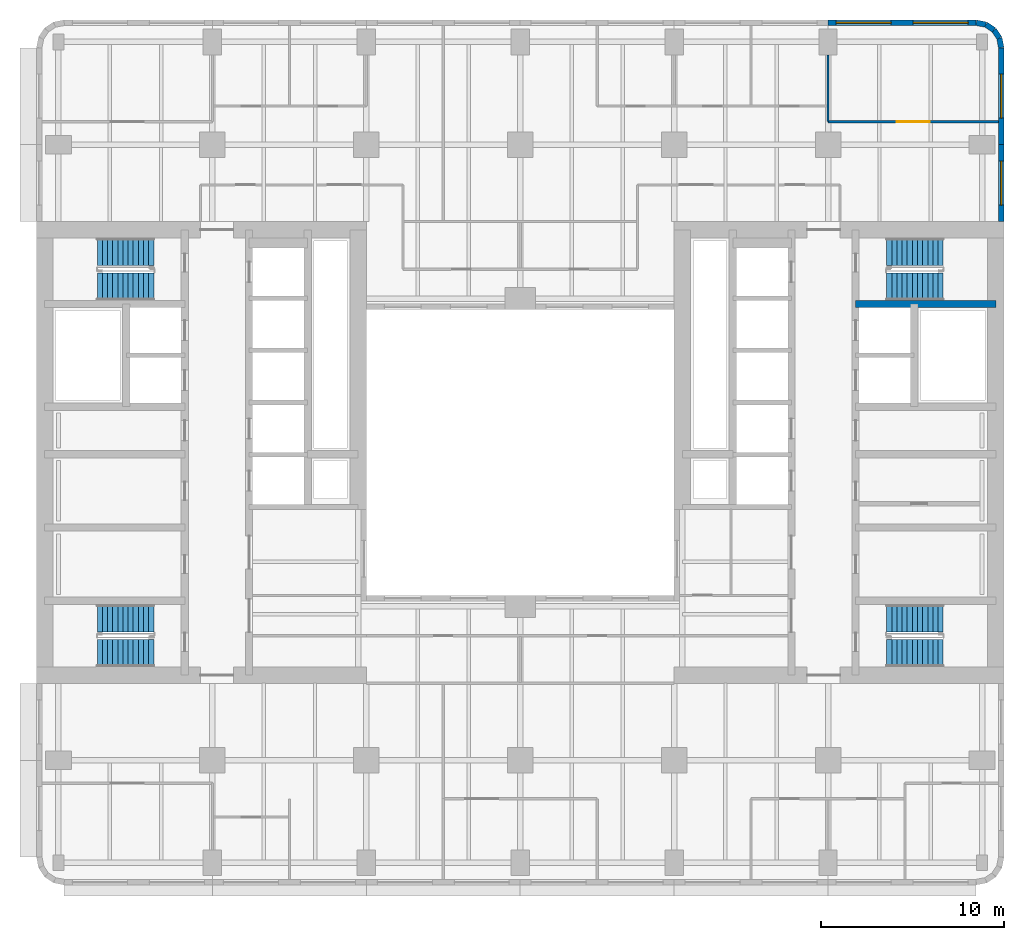
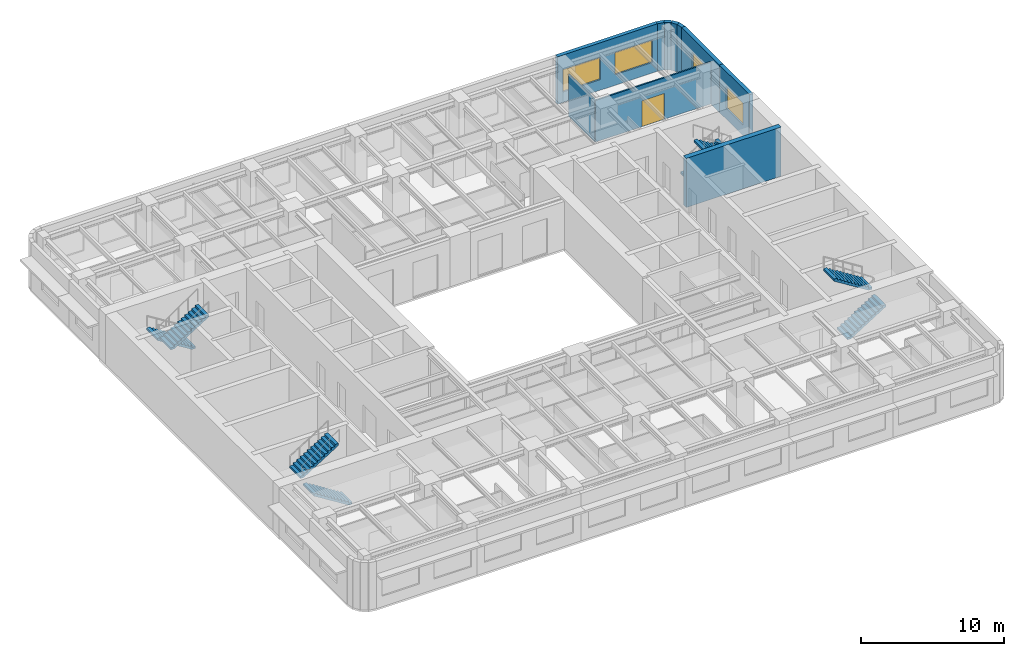
# One storey, part 8 of 11: 10 walls, 8 stair flights, 4 windows, 1 door, 5 openings, 4 elements without a shape of their own.
"""IFC4 building model written with IfcOpenShell, lengths in metres."""

from ifc_helpers import new_model, si_unit, direction, frame, frame_2d, origin, place, context, subcontext, project, spatial, polyline, rectangle, outline, extrude, material, layer, layer_set, type_object, element, fill, aggregate, save


model = new_model("IFC4")

# Units and contexts
model_context = context("Model", 3, precision=1e-05, world=origin(), true_north=direction((0.0, 1.0)))
body_context = subcontext(model_context, "Body", "Model", "MODEL_VIEW")
ifc_project = project(units=[si_unit("LENGTHUNIT", "METRE"), si_unit("AREAUNIT", "SQUARE_METRE"), si_unit("VOLUMEUNIT", "CUBIC_METRE"), si_unit("PLANEANGLEUNIT", "RADIAN"), si_unit("MASSUNIT", "GRAM", prefix="KILO")], contexts=[model_context])

# Site, building, storey
site_placement = place(None, origin())
site = spatial("IfcSite", under=ifc_project, at=site_placement, CompositionType="ELEMENT")
building_placement = place(site_placement, origin())
building = spatial("IfcBuilding", under=site, at=building_placement, Name="Claustro Exchange Tower", CompositionType="ELEMENT")
storey_placement = place(building_placement, frame((0.0, 0.0, 151.199951171875)))
storey = spatial("IfcBuildingStorey", under=building, at=storey_placement, Name="L34", CompositionType="ELEMENT", Elevation=151.199951171875)

# Wall, opening, door
ifc_material_1 = material(Name="Laminated glass in aluminium frame", Category="aluminium")
ifc_layer_1 = layer(ifc_material_1, 0.1201171875)
ifc_layer_set_1 = layer_set([ifc_layer_1], Name="Laminated glass in aluminium frame")
wall_type_1 = type_object("IfcWallType", Name="P2 120 glazed partition", PredefinedType="PARTITIONING", material=ifc_layer_set_1)
wall_1_placement = place(storey_placement, frame((42.0, 43.25, 0.0), z_axis=(0.0, 0.0, 1.0), x_axis=(1.0, 0.0, 0.0)))
wall_1 = element("IfcWall", 1, at=wall_1_placement, inside=storey, type_object=wall_type_1, Name="Partition P2 L34", PredefinedType="PARTITIONING", context=body_context, shape_type="SweptSolid", body=[
    extrude(rectangle(XDim=9.302001953125, YDim=0.1201171875, at=frame_2d((4.65087890625, 0.0))), origin(), (0.0, 0.0, 1.0), 3.550048828125),
])
opening_1_placement = place(wall_1_placement, frame((3.75, 0.0, 0.0)))
opening_1 = element("IfcOpeningElement", 2, at=opening_1_placement, cuts=wall_1, Name="Opening D2", PredefinedType="OPENING", context=body_context, shape_type="SweptSolid", body=[
    extrude(rectangle(XDim=1.800048828125, YDim=2.199951171875, at=frame_2d((0.89990234375, 1.10009765625))), frame((0.0, 0.070068359375, 0.0), z_axis=(0.0, -1.0, 0.0), x_axis=(1.0, 0.0, 0.0)), (0.0, 0.0, 1.0), 0.14013671875),
])
ifc_material_2 = material(Name="Timber door, oak veneer", Category="wood")
door_type = type_object("IfcDoorType", Name="D2 1800 x 2200 double door", OperationType="DOUBLE_DOOR_SINGLE_SWING", PredefinedType="DOOR", material=ifc_material_2)
door_placement = place(opening_1_placement, origin())
door = element("IfcDoor", 3, at=door_placement, inside=storey, type_object=door_type, Name="Double door D2 L34", OperationType="DOUBLE_DOOR_SINGLE_SWING", OverallHeight=2.199951171875, OverallWidth=1.800048828125, PredefinedType="DOOR", context=body_context, shape_type="SweptSolid", body=[
    extrude(rectangle(XDim=1.800048828125, YDim=2.199951171875, at=frame_2d((0.89990234375, 1.10009765625))), frame((0.0, 0.02490234375, 0.0), z_axis=(0.0, -1.0, 0.0), x_axis=(1.0, 0.0, 0.0)), (0.0, 0.0, 1.0), 0.050048828125),
])
fill(opening_1, door)

# Wall
wall_2_placement = place(storey_placement, frame((42.0, 43.25, 0.0), z_axis=(0.0, 0.0, 1.0), x_axis=(0.0, 1.0, 0.0)))
element("IfcWall", 4, at=wall_2_placement, inside=storey, type_object=wall_type_1, Name="Partition P2 L34", PredefinedType="PARTITIONING", context=body_context, shape_type="SweptSolid", body=[
    extrude(rectangle(XDim=3.65087890625, YDim=0.1201171875, at=frame_2d((1.825439453125, 0.0))), origin(), (0.0, 0.0, 1.0), 3.550048828125),
])

# Wall, openings, windows
ifc_material_3 = material(Name="Concrete HA-40 (C40/50), precast, white cement, acid-etched", Category="concrete")
ifc_layer_2 = layer(ifc_material_3, 0.300048828125)
ifc_layer_set_2 = layer_set([ifc_layer_2], Name="Concrete HA-40 (C40/50), precast, white cement, acid-etched")
wall_type_2 = type_object("IfcWallType", Name="PC1 300 precast concrete pier panel", PredefinedType="SOLIDWALL", material=ifc_layer_set_2)
wall_3_placement = place(storey_placement, frame((42.0, 48.64990234375, 0.0), z_axis=(0.0, 0.0, 1.0), x_axis=(1.0, 0.0, 0.0)))
wall_3 = element("IfcWall", 5, at=wall_3_placement, inside=storey, type_object=wall_type_2, Name="Precast pier panel PC1 L34", PredefinedType="SOLIDWALL", context=body_context, shape_type="SweptSolid", body=[
    extrude(rectangle(XDim=8.085205078125, YDim=0.300048828125, at=frame_2d((4.04248046875, 0.0))), origin(), (0.0, 0.0, 1.0), 4.050048828125),
])
opening_2_placement = place(wall_3_placement, frame((0.442626953125, 0.0, 0.89990234375)))
opening_2 = element("IfcOpeningElement", 6, at=opening_2_placement, cuts=wall_3, Name="Opening W1", PredefinedType="OPENING", context=body_context, shape_type="SweptSolid", body=[
    extrude(rectangle(XDim=3.0, YDim=1.89990234375, at=frame_2d((1.5, 0.949951171875))), frame((0.0, 0.159912109375, 0.0), z_axis=(0.0, -1.0, 0.0), x_axis=(1.0, 0.0, 0.0)), (0.0, 0.0, 1.0), 0.320068359375),
])
opening_3_placement = place(wall_3_placement, frame((4.642578125, 0.0, 0.89990234375)))
opening_3 = element("IfcOpeningElement", 7, at=opening_3_placement, cuts=wall_3, Name="Opening W1", PredefinedType="OPENING", context=body_context, shape_type="SweptSolid", body=[
    extrude(rectangle(XDim=3.0, YDim=1.89990234375, at=frame_2d((1.5, 0.949951171875))), frame((0.0, 0.159912109375, 0.0), z_axis=(0.0, -1.0, 0.0), x_axis=(1.0, 0.0, 0.0)), (0.0, 0.0, 1.0), 0.320068359375),
])
ifc_material_4 = material(Name="Aluminium frame, clear double glazing", Category="aluminium")
window_type_1 = type_object("IfcWindowType", Name="W1 3000 x 1900 window", PartitioningType="SINGLE_PANEL", PredefinedType="WINDOW", material=ifc_material_4)
window_1_placement = place(opening_2_placement, origin())
window_1 = element("IfcWindow", 8, at=window_1_placement, inside=storey, type_object=window_type_1, Name="Window W1 L34", OverallHeight=1.89990234375, OverallWidth=3.0, PartitioningType="SINGLE_PANEL", PredefinedType="WINDOW", context=body_context, shape_type="SweptSolid", body=[
    extrude(rectangle(XDim=3.0, YDim=1.89990234375, at=frame_2d((1.5, 0.949951171875))), frame((0.0, 0.030029296875, 0.0), z_axis=(0.0, -1.0, 0.0), x_axis=(1.0, 0.0, 0.0)), (0.0, 0.0, 1.0), 0.06005859375),
])
fill(opening_2, window_1)
window_2_placement = place(opening_3_placement, origin())
window_2 = element("IfcWindow", 9, at=window_2_placement, inside=storey, type_object=window_type_1, Name="Window W1 L34", OverallHeight=1.89990234375, OverallWidth=3.0, PartitioningType="SINGLE_PANEL", PredefinedType="WINDOW", context=body_context, shape_type="SweptSolid", body=[
    extrude(rectangle(XDim=3.0, YDim=1.89990234375, at=frame_2d((1.5, 0.949951171875))), frame((0.0, 0.030029296875, 0.0), z_axis=(0.0, -1.0, 0.0), x_axis=(1.0, 0.0, 0.0)), (0.0, 0.0, 1.0), 0.06005859375),
])
fill(opening_3, window_2)

# Walls
wall_4_placement = place(storey_placement, frame((50.085205078125, 48.64990234375, 0.0), z_axis=(0.0, 0.0, 1.0), x_axis=(0.980788534345, -0.195073962632, 0.0)))
element("IfcWall", 10, at=wall_4_placement, inside=storey, type_object=wall_type_2, Name="Precast pier panel PC1 L34", PredefinedType="SOLIDWALL", context=body_context, shape_type="SweptSolid", body=[
    extrude(rectangle(XDim=0.540771484375, YDim=0.300048828125, at=frame_2d((0.2705078125, 0.0))), origin(), (0.0, 0.0, 1.0), 4.050048828125),
])
wall_5_placement = place(storey_placement, frame((50.615478515625, 48.54443359375, 0.0), z_axis=(0.0, 0.0, 1.0), x_axis=(0.831692711774, -0.555236195849, 0.0)))
element("IfcWall", 11, at=wall_5_placement, inside=storey, type_object=wall_type_2, Name="Precast pier panel PC1 L34", PredefinedType="SOLIDWALL", context=body_context, shape_type="SweptSolid", body=[
    extrude(rectangle(XDim=0.525390625, YDim=0.300048828125, at=frame_2d((0.2626953125, 0.0))), origin(), (0.0, 0.0, 1.0), 4.050048828125),
])
wall_6_placement = place(storey_placement, frame((51.052490234375, 48.252685546875, 0.0), z_axis=(0.0, 0.0, 1.0), x_axis=(0.55534295404, -0.831621430339, 0.0)))
element("IfcWall", 12, at=wall_6_placement, inside=storey, type_object=wall_type_2, Name="Precast pier panel PC1 L34", PredefinedType="SOLIDWALL", context=body_context, shape_type="SweptSolid", body=[
    extrude(rectangle(XDim=0.52587890625, YDim=0.300048828125, at=frame_2d((0.262939453125, 0.0))), origin(), (0.0, 0.0, 1.0), 4.050048828125),
])
wall_7_placement = place(storey_placement, frame((51.344482421875, 47.8154296875, 0.0), z_axis=(0.0, 0.0, 1.0), x_axis=(0.195073962632, -0.980788534345, 0.0)))
element("IfcWall", 13, at=wall_7_placement, inside=storey, type_object=wall_type_2, Name="Precast pier panel PC1 L34", PredefinedType="SOLIDWALL", context=body_context, shape_type="SweptSolid", body=[
    extrude(rectangle(XDim=0.540771484375, YDim=0.300048828125, at=frame_2d((0.2705078125, 0.0))), origin(), (0.0, 0.0, 1.0), 4.050048828125),
])

# Wall, opening, window
wall_8_placement = place(storey_placement, frame((51.449951171875, 47.28515625, 0.0), z_axis=(0.0, 0.0, 1.0), x_axis=(0.0, -1.0, 0.0)))
wall_8 = element("IfcWall", 14, at=wall_8_placement, inside=storey, type_object=wall_type_2, Name="Precast pier panel PC1 L34", PredefinedType="SOLIDWALL", context=body_context, shape_type="SweptSolid", body=[
    extrude(rectangle(XDim=5.28515625, YDim=0.300048828125, at=frame_2d((2.642578125, 0.0))), origin(), (0.0, 0.0, 1.0), 4.050048828125),
])
opening_4_placement = place(wall_8_placement, frame((1.442626953125, 0.0, 0.89990234375)))
opening_4 = element("IfcOpeningElement", 15, at=opening_4_placement, cuts=wall_8, Name="Opening W2", PredefinedType="OPENING", context=body_context, shape_type="SweptSolid", body=[
    extrude(rectangle(XDim=2.39990234375, YDim=1.89990234375, at=frame_2d((1.199951171875, 0.949951171875))), frame((0.0, 0.159912109375, 0.0), z_axis=(0.0, -1.0, 0.0), x_axis=(1.0, 0.0, 0.0)), (0.0, 0.0, 1.0), 0.320068359375),
])
ifc_material_5 = material(Name="Aluminium frame, clear double glazing", Category="aluminium")
window_type_2 = type_object("IfcWindowType", Name="W2 2400 x 1900 window", PartitioningType="SINGLE_PANEL", PredefinedType="WINDOW", material=ifc_material_5)
window_3_placement = place(opening_4_placement, origin())
window_3 = element("IfcWindow", 16, at=window_3_placement, inside=storey, type_object=window_type_2, Name="Window W2 L34", OverallHeight=1.89990234375, OverallWidth=2.39990234375, PartitioningType="SINGLE_PANEL", PredefinedType="WINDOW", context=body_context, shape_type="SweptSolid", body=[
    extrude(rectangle(XDim=2.39990234375, YDim=1.89990234375, at=frame_2d((1.199951171875, 0.949951171875))), frame((0.0, 0.030029296875, 0.0), z_axis=(0.0, -1.0, 0.0), x_axis=(1.0, 0.0, 0.0)), (0.0, 0.0, 1.0), 0.06005859375),
])
fill(opening_4, window_3)

wall_9_placement = place(storey_placement, frame((51.449951171875, 42.0, 0.0), z_axis=(0.0, 0.0, 1.0), x_axis=(0.0, -1.0, 0.0)))
wall_9 = element("IfcWall", 17, at=wall_9_placement, inside=storey, type_object=wall_type_2, Name="Precast pier panel PC1 L34", PredefinedType="SOLIDWALL", context=body_context, shape_type="SweptSolid", body=[
    extrude(rectangle(XDim=4.199951171875, YDim=0.300048828125, at=frame_2d((2.10009765625, 0.0))), origin(), (0.0, 0.0, 1.0), 4.050048828125),
])
opening_5_placement = place(wall_9_placement, frame((0.89990234375, 0.0, 0.89990234375)))
opening_5 = element("IfcOpeningElement", 18, at=opening_5_placement, cuts=wall_9, Name="Opening W2", PredefinedType="OPENING", context=body_context, shape_type="SweptSolid", body=[
    extrude(rectangle(XDim=2.39990234375, YDim=1.89990234375, at=frame_2d((1.199951171875, 0.949951171875))), frame((0.0, 0.159912109375, 0.0), z_axis=(0.0, -1.0, 0.0), x_axis=(1.0, 0.0, 0.0)), (0.0, 0.0, 1.0), 0.320068359375),
])
window_4_placement = place(opening_5_placement, origin())
window_4 = element("IfcWindow", 19, at=window_4_placement, inside=storey, type_object=window_type_2, Name="Window W2 L34", OverallHeight=1.89990234375, OverallWidth=2.39990234375, PartitioningType="SINGLE_PANEL", PredefinedType="WINDOW", context=body_context, shape_type="SweptSolid", body=[
    extrude(rectangle(XDim=2.39990234375, YDim=1.89990234375, at=frame_2d((1.199951171875, 0.949951171875))), frame((0.0, 0.030029296875, 0.0), z_axis=(0.0, -1.0, 0.0), x_axis=(1.0, 0.0, 0.0)), (0.0, 0.0, 1.0), 0.06005859375),
])
fill(opening_5, window_4)

# Wall
ifc_material_6 = material(Name="Concrete HA-50 (C50/60)", Category="concrete")
ifc_layer_3 = layer(ifc_material_6, 0.39990234375)
ifc_layer_set_3 = layer_set([ifc_layer_3], Name="Concrete HA-50 (C50/60)")
wall_type_3 = type_object("IfcWallType", Name="SW4 400 internal core wall", PredefinedType="SHEAR", material=ifc_layer_set_3)
wall_10_placement = place(storey_placement, frame((51.14990234375, 33.300048828125, 0.0), z_axis=(0.0, 0.0, 1.0), x_axis=(-1.0, 0.0, 0.0)))
element("IfcWall", 20, at=wall_10_placement, inside=storey, type_object=wall_type_3, Name="Internal core wall SW4 E core L34", PredefinedType="SHEAR", context=body_context, shape_type="SweptSolid", body=[
    extrude(rectangle(XDim=7.64990234375, YDim=0.39990234375, at=frame_2d((3.824951171875, 0.0))), origin(), (0.0, 0.0, 1.0), 4.199951171875),
])

# Stair, stair flights
ifc_material_7 = material(Name="Concrete HA-30 (C30/37), precast", Category="concrete")
stair_type = type_object("IfcStairType", Name="ST1 half-turn stair, 24 risers of 175", PredefinedType="HALF_TURN_STAIR", material=ifc_material_7)
stair_1_placement = place(storey_placement, origin())
stair_1 = element("IfcStair", 21, at=stair_1_placement, inside=storey, type_object=stair_type, Name="Stair STWA L34", PredefinedType="HALF_TURN_STAIR")
ifc_material_8 = material(Name="Concrete HA-30 (C30/37), precast", Category="concrete")
stair_flight_type = type_object("IfcStairFlightType", Name="SF12A straight flight, 12 risers of 175, 1500 wide", PredefinedType="STRAIGHT", material=ifc_material_8)
stair_flight_1_placement = place(storey_placement, frame((5.199951171875, 14.25, 0.0), z_axis=(0.0, 0.0, 1.0), x_axis=(-1.0, 0.0, 0.0)))
stair_flight_1 = element("IfcStairFlight", 22, at=stair_flight_1_placement, type_object=stair_flight_type, Name="STWA flight 1", NumberOfRisers=12, NumberOfTreads=11, PredefinedType="STRAIGHT", RiserHeight=0.175, TreadLength=0.28, context=body_context, shape_type="SweptSolid", body=[
    extrude(outline(polyline([(0.0, 0.0), (0.0, 0.175048828125), (0.280029296875, 0.175048828125), (0.280029296875, 0.35009765625), (0.56005859375, 0.35009765625), (0.56005859375, 0.52490234375), (0.840087890625, 0.52490234375), (0.840087890625, 0.699951171875), (1.1201171875, 0.699951171875), (1.1201171875, 0.875), (1.39990234375, 0.875), (1.39990234375, 1.050048828125), (1.679931640625, 1.050048828125), (1.679931640625, 1.22509765625), (1.9599609375, 1.22509765625), (1.9599609375, 1.39990234375), (2.239990234375, 1.39990234375), (2.239990234375, 1.574951171875), (2.52001953125, 1.574951171875), (2.52001953125, 1.75), (2.800048828125, 1.75), (2.800048828125, 1.925048828125), (3.080078125, 1.925048828125), (3.080078125, 2.10009765625), (3.080078125, 1.748291015625), (0.28271484375, 0.0), (0.0, 0.0)])), frame((0.0, 0.75, 0.0), z_axis=(0.0, -1.0, 0.0), x_axis=(1.0, 0.0, 0.0)), (0.0, 0.0, 1.0), 1.5),
])
stair_flight_2_placement = place(storey_placement, frame((2.1201171875, 16.14990234375, 2.10009765625), z_axis=(0.0, 0.0, 1.0), x_axis=(1.0, 0.0, 0.0)))
stair_flight_2 = element("IfcStairFlight", 23, at=stair_flight_2_placement, type_object=stair_flight_type, Name="STWA flight 2", NumberOfRisers=12, NumberOfTreads=11, PredefinedType="STRAIGHT", RiserHeight=0.175, TreadLength=0.28, context=body_context, shape_type="SweptSolid", body=[
    extrude(outline(polyline([(0.0, 0.0), (0.0, 0.175048828125), (0.280029296875, 0.175048828125), (0.280029296875, 0.35009765625), (0.56005859375, 0.35009765625), (0.56005859375, 0.52490234375), (0.840087890625, 0.52490234375), (0.840087890625, 0.699951171875), (1.1201171875, 0.699951171875), (1.1201171875, 0.875), (1.39990234375, 0.875), (1.39990234375, 1.050048828125), (1.679931640625, 1.050048828125), (1.679931640625, 1.22509765625), (1.9599609375, 1.22509765625), (1.9599609375, 1.39990234375), (2.239990234375, 1.39990234375), (2.239990234375, 1.574951171875), (2.52001953125, 1.574951171875), (2.52001953125, 1.75), (2.800048828125, 1.75), (2.800048828125, 1.925048828125), (3.080078125, 1.925048828125), (3.080078125, 2.10009765625), (3.080078125, 1.748291015625), (0.28271484375, 0.0), (0.0, 0.0)])), frame((0.0, 0.75, 0.0), z_axis=(0.0, -1.0, 0.0), x_axis=(1.0, 0.0, 0.0)), (0.0, 0.0, 1.0), 1.5),
])
aggregate(stair_1, [stair_flight_1, stair_flight_2])

stair_2_placement = place(storey_placement, origin())
stair_2 = element("IfcStair", 24, at=stair_2_placement, inside=storey, type_object=stair_type, Name="Stair STWB L34", PredefinedType="HALF_TURN_STAIR")
stair_flight_3_placement = place(storey_placement, frame((5.199951171875, 36.14990234375, 0.0), z_axis=(0.0, 0.0, 1.0), x_axis=(-1.0, 0.0, 0.0)))
stair_flight_3 = element("IfcStairFlight", 25, at=stair_flight_3_placement, type_object=stair_flight_type, Name="STWB flight 1", NumberOfRisers=12, NumberOfTreads=11, PredefinedType="STRAIGHT", RiserHeight=0.175, TreadLength=0.28, context=body_context, shape_type="SweptSolid", body=[
    extrude(outline(polyline([(0.0, 0.0), (0.0, 0.175048828125), (0.280029296875, 0.175048828125), (0.280029296875, 0.35009765625), (0.56005859375, 0.35009765625), (0.56005859375, 0.52490234375), (0.840087890625, 0.52490234375), (0.840087890625, 0.699951171875), (1.1201171875, 0.699951171875), (1.1201171875, 0.875), (1.39990234375, 0.875), (1.39990234375, 1.050048828125), (1.679931640625, 1.050048828125), (1.679931640625, 1.22509765625), (1.9599609375, 1.22509765625), (1.9599609375, 1.39990234375), (2.239990234375, 1.39990234375), (2.239990234375, 1.574951171875), (2.52001953125, 1.574951171875), (2.52001953125, 1.75), (2.800048828125, 1.75), (2.800048828125, 1.925048828125), (3.080078125, 1.925048828125), (3.080078125, 2.10009765625), (3.080078125, 1.748291015625), (0.28271484375, 0.0), (0.0, 0.0)])), frame((0.0, 0.75, 0.0), z_axis=(0.0, -1.0, 0.0), x_axis=(1.0, 0.0, 0.0)), (0.0, 0.0, 1.0), 1.5),
])
stair_flight_4_placement = place(storey_placement, frame((2.1201171875, 34.25, 2.10009765625), z_axis=(0.0, 0.0, 1.0), x_axis=(1.0, 0.0, 0.0)))
stair_flight_4 = element("IfcStairFlight", 26, at=stair_flight_4_placement, type_object=stair_flight_type, Name="STWB flight 2", NumberOfRisers=12, NumberOfTreads=11, PredefinedType="STRAIGHT", RiserHeight=0.175, TreadLength=0.28, context=body_context, shape_type="SweptSolid", body=[
    extrude(outline(polyline([(0.0, 0.0), (0.0, 0.175048828125), (0.280029296875, 0.175048828125), (0.280029296875, 0.35009765625), (0.56005859375, 0.35009765625), (0.56005859375, 0.52490234375), (0.840087890625, 0.52490234375), (0.840087890625, 0.699951171875), (1.1201171875, 0.699951171875), (1.1201171875, 0.875), (1.39990234375, 0.875), (1.39990234375, 1.050048828125), (1.679931640625, 1.050048828125), (1.679931640625, 1.22509765625), (1.9599609375, 1.22509765625), (1.9599609375, 1.39990234375), (2.239990234375, 1.39990234375), (2.239990234375, 1.574951171875), (2.52001953125, 1.574951171875), (2.52001953125, 1.75), (2.800048828125, 1.75), (2.800048828125, 1.925048828125), (3.080078125, 1.925048828125), (3.080078125, 2.10009765625), (3.080078125, 1.748291015625), (0.28271484375, 0.0), (0.0, 0.0)])), frame((0.0, 0.75, 0.0), z_axis=(0.0, -1.0, 0.0), x_axis=(1.0, 0.0, 0.0)), (0.0, 0.0, 1.0), 1.5),
])
aggregate(stair_2, [stair_flight_3, stair_flight_4])

stair_3_placement = place(storey_placement, origin())
stair_3 = element("IfcStair", 27, at=stair_3_placement, inside=storey, type_object=stair_type, Name="Stair STEA L34", PredefinedType="HALF_TURN_STAIR")
stair_flight_5_placement = place(storey_placement, frame((45.199951171875, 14.25, 0.0), z_axis=(0.0, 0.0, 1.0), x_axis=(1.0, 0.0, 0.0)))
stair_flight_5 = element("IfcStairFlight", 28, at=stair_flight_5_placement, type_object=stair_flight_type, Name="STEA flight 1", NumberOfRisers=12, NumberOfTreads=11, PredefinedType="STRAIGHT", RiserHeight=0.175, TreadLength=0.28, context=body_context, shape_type="SweptSolid", body=[
    extrude(outline(polyline([(0.0, 0.0), (0.0, 0.175048828125), (0.280029296875, 0.175048828125), (0.280029296875, 0.35009765625), (0.56005859375, 0.35009765625), (0.56005859375, 0.52490234375), (0.840087890625, 0.52490234375), (0.840087890625, 0.699951171875), (1.1201171875, 0.699951171875), (1.1201171875, 0.875), (1.39990234375, 0.875), (1.39990234375, 1.050048828125), (1.679931640625, 1.050048828125), (1.679931640625, 1.22509765625), (1.9599609375, 1.22509765625), (1.9599609375, 1.39990234375), (2.239990234375, 1.39990234375), (2.239990234375, 1.574951171875), (2.52001953125, 1.574951171875), (2.52001953125, 1.75), (2.800048828125, 1.75), (2.800048828125, 1.925048828125), (3.080078125, 1.925048828125), (3.080078125, 2.10009765625), (3.080078125, 1.748291015625), (0.28271484375, 0.0), (0.0, 0.0)])), frame((0.0, 0.75, 0.0), z_axis=(0.0, -1.0, 0.0), x_axis=(1.0, 0.0, 0.0)), (0.0, 0.0, 1.0), 1.5),
])
stair_flight_6_placement = place(storey_placement, frame((48.280029296875, 16.14990234375, 2.10009765625), z_axis=(0.0, 0.0, 1.0), x_axis=(-1.0, 0.0, 0.0)))
stair_flight_6 = element("IfcStairFlight", 29, at=stair_flight_6_placement, type_object=stair_flight_type, Name="STEA flight 2", NumberOfRisers=12, NumberOfTreads=11, PredefinedType="STRAIGHT", RiserHeight=0.175, TreadLength=0.28, context=body_context, shape_type="SweptSolid", body=[
    extrude(outline(polyline([(0.0, 0.0), (0.0, 0.175048828125), (0.280029296875, 0.175048828125), (0.280029296875, 0.35009765625), (0.56005859375, 0.35009765625), (0.56005859375, 0.52490234375), (0.840087890625, 0.52490234375), (0.840087890625, 0.699951171875), (1.1201171875, 0.699951171875), (1.1201171875, 0.875), (1.39990234375, 0.875), (1.39990234375, 1.050048828125), (1.679931640625, 1.050048828125), (1.679931640625, 1.22509765625), (1.9599609375, 1.22509765625), (1.9599609375, 1.39990234375), (2.239990234375, 1.39990234375), (2.239990234375, 1.574951171875), (2.52001953125, 1.574951171875), (2.52001953125, 1.75), (2.800048828125, 1.75), (2.800048828125, 1.925048828125), (3.080078125, 1.925048828125), (3.080078125, 2.10009765625), (3.080078125, 1.748291015625), (0.28271484375, 0.0), (0.0, 0.0)])), frame((0.0, 0.75, 0.0), z_axis=(0.0, -1.0, 0.0), x_axis=(1.0, 0.0, 0.0)), (0.0, 0.0, 1.0), 1.5),
])
aggregate(stair_3, [stair_flight_5, stair_flight_6])

stair_4_placement = place(storey_placement, origin())
stair_4 = element("IfcStair", 30, at=stair_4_placement, inside=storey, type_object=stair_type, Name="Stair STEB L34", PredefinedType="HALF_TURN_STAIR")
stair_flight_7_placement = place(storey_placement, frame((45.199951171875, 36.14990234375, 0.0), z_axis=(0.0, 0.0, 1.0), x_axis=(1.0, 0.0, 0.0)))
stair_flight_7 = element("IfcStairFlight", 31, at=stair_flight_7_placement, type_object=stair_flight_type, Name="STEB flight 1", NumberOfRisers=12, NumberOfTreads=11, PredefinedType="STRAIGHT", RiserHeight=0.175, TreadLength=0.28, context=body_context, shape_type="SweptSolid", body=[
    extrude(outline(polyline([(0.0, 0.0), (0.0, 0.175048828125), (0.280029296875, 0.175048828125), (0.280029296875, 0.35009765625), (0.56005859375, 0.35009765625), (0.56005859375, 0.52490234375), (0.840087890625, 0.52490234375), (0.840087890625, 0.699951171875), (1.1201171875, 0.699951171875), (1.1201171875, 0.875), (1.39990234375, 0.875), (1.39990234375, 1.050048828125), (1.679931640625, 1.050048828125), (1.679931640625, 1.22509765625), (1.9599609375, 1.22509765625), (1.9599609375, 1.39990234375), (2.239990234375, 1.39990234375), (2.239990234375, 1.574951171875), (2.52001953125, 1.574951171875), (2.52001953125, 1.75), (2.800048828125, 1.75), (2.800048828125, 1.925048828125), (3.080078125, 1.925048828125), (3.080078125, 2.10009765625), (3.080078125, 1.748291015625), (0.28271484375, 0.0), (0.0, 0.0)])), frame((0.0, 0.75, 0.0), z_axis=(0.0, -1.0, 0.0), x_axis=(1.0, 0.0, 0.0)), (0.0, 0.0, 1.0), 1.5),
])
stair_flight_8_placement = place(storey_placement, frame((48.280029296875, 34.25, 2.10009765625), z_axis=(0.0, 0.0, 1.0), x_axis=(-1.0, 0.0, 0.0)))
stair_flight_8 = element("IfcStairFlight", 32, at=stair_flight_8_placement, type_object=stair_flight_type, Name="STEB flight 2", NumberOfRisers=12, NumberOfTreads=11, PredefinedType="STRAIGHT", RiserHeight=0.175, TreadLength=0.28, context=body_context, shape_type="SweptSolid", body=[
    extrude(outline(polyline([(0.0, 0.0), (0.0, 0.175048828125), (0.280029296875, 0.175048828125), (0.280029296875, 0.35009765625), (0.56005859375, 0.35009765625), (0.56005859375, 0.52490234375), (0.840087890625, 0.52490234375), (0.840087890625, 0.699951171875), (1.1201171875, 0.699951171875), (1.1201171875, 0.875), (1.39990234375, 0.875), (1.39990234375, 1.050048828125), (1.679931640625, 1.050048828125), (1.679931640625, 1.22509765625), (1.9599609375, 1.22509765625), (1.9599609375, 1.39990234375), (2.239990234375, 1.39990234375), (2.239990234375, 1.574951171875), (2.52001953125, 1.574951171875), (2.52001953125, 1.75), (2.800048828125, 1.75), (2.800048828125, 1.925048828125), (3.080078125, 1.925048828125), (3.080078125, 2.10009765625), (3.080078125, 1.748291015625), (0.28271484375, 0.0), (0.0, 0.0)])), frame((0.0, 0.75, 0.0), z_axis=(0.0, -1.0, 0.0), x_axis=(1.0, 0.0, 0.0)), (0.0, 0.0, 1.0), 1.5),
])
aggregate(stair_4, [stair_flight_7, stair_flight_8])

save(model, "model.ifc")
